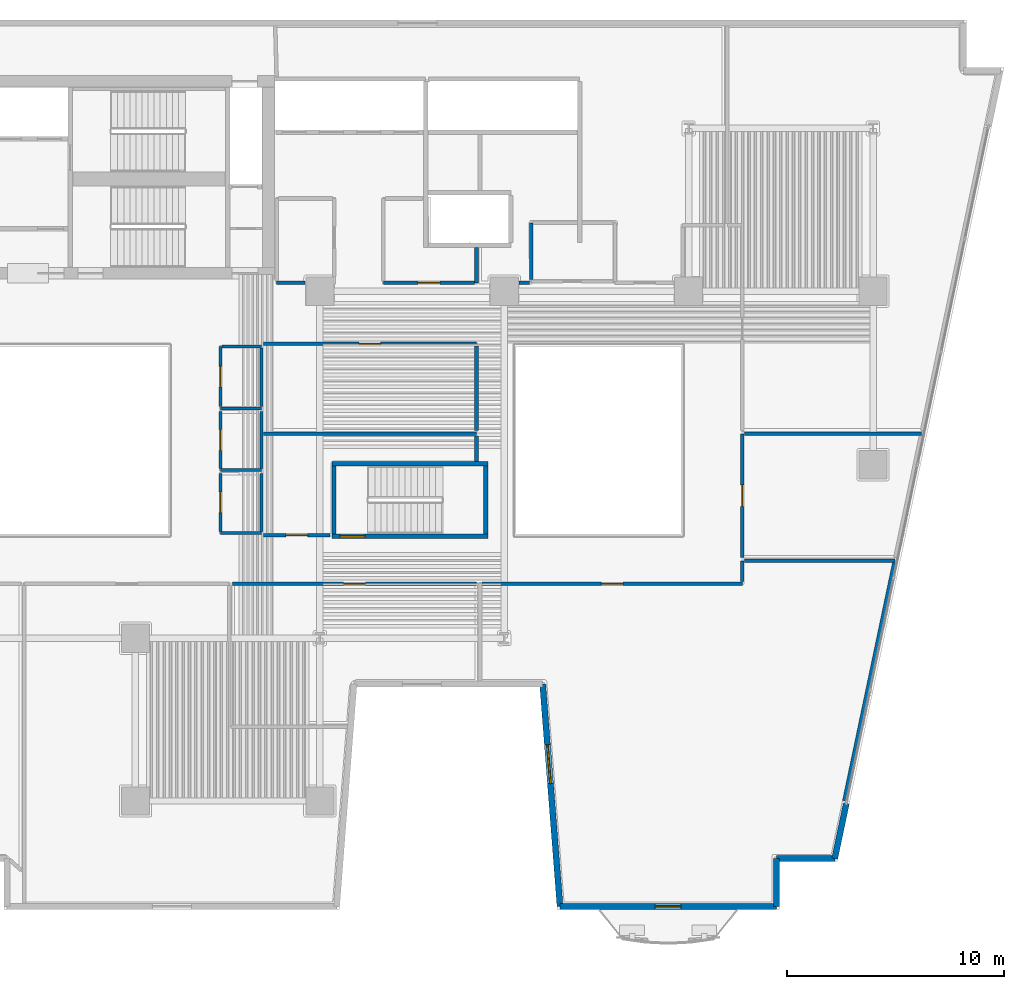
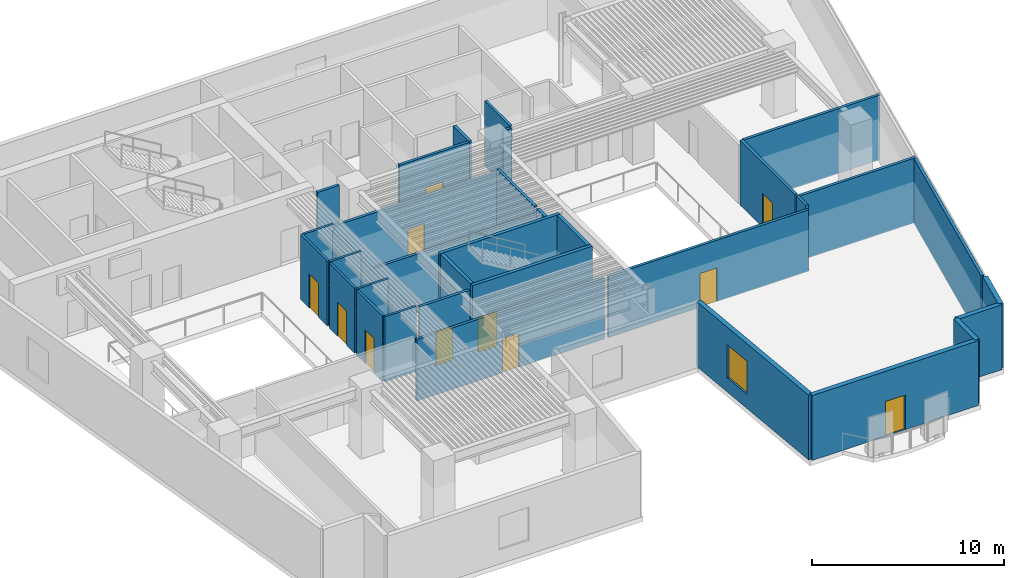
# One storey, part 4 of 11: 36 walls, 11 doors, 1 window, 12 openings.
"""IFC4 building model written with IfcOpenShell, lengths in metres."""

from ifc_helpers import new_model, si_unit, direction, frame, frame_2d, origin, place, context, subcontext, project, spatial, rectangle, extrude, material, layer, layer_set, type_object, element, fill, save


model = new_model("IFC4")

# Units and contexts
model_context = context("Model", 3, precision=1e-05, world=origin(), true_north=direction((0.0, 1.0)))
body_context = subcontext(model_context, "Body", "Model", "MODEL_VIEW")
ifc_project = project(units=[si_unit("LENGTHUNIT", "METRE"), si_unit("AREAUNIT", "SQUARE_METRE"), si_unit("VOLUMEUNIT", "CUBIC_METRE"), si_unit("PLANEANGLEUNIT", "RADIAN"), si_unit("MASSUNIT", "GRAM", prefix="KILO")], contexts=[model_context])

# Site, building, storey
site_placement = place(None, origin())
site = spatial("IfcSite", under=ifc_project, at=site_placement, CompositionType="ELEMENT")
building_placement = place(site_placement, origin())
building = spatial("IfcBuilding", under=site, at=building_placement, Name="Caeloran Harvest Quay", CompositionType="ELEMENT")
storey_placement = place(building_placement, frame((0.0, 0.0, 75.39990234375)))
storey = spatial("IfcBuildingStorey", under=building, at=storey_placement, Name="L17", CompositionType="ELEMENT", Elevation=75.39990234375)

# Walls
ifc_material_1 = material(Name="Precast concrete C50/60", Category="concrete")
ifc_layer_1 = layer(ifc_material_1, 0.280029296875, Name="Precast concrete C50/60")
ifc_layer_set_1 = layer_set([ifc_layer_1], Name="Precast concrete C50/60")
wall_type_1 = type_object("IfcWallType", Name="ENV-WALL-EW-280", PredefinedType="STANDARD", material=ifc_layer_set_1)
wall_1_placement = place(storey_placement, frame((49.77001953125, 7.384521484375, 0.0), z_axis=(0.0, 0.0, 1.0), x_axis=(-0.205551409765, -0.978646319128, 0.0)))
element("IfcWall", 1, at=wall_1_placement, inside=storey, type_object=wall_type_1, Name="L17 Exterior Facade Corner Pier Wall 9B", PredefinedType="STANDARD", context=body_context, shape_type="SweptSolid", body=[
    extrude(rectangle(XDim=2.599853515625, YDim=0.280029296875, at=frame_2d((1.2998046875, 0.0))), origin(), (0.0, 0.0, 1.0), 4.114990234375),
])
wall_2_placement = place(storey_placement, frame((49.235595703125, 4.840087890625, 0.0), z_axis=(0.0, 0.0, 1.0), x_axis=(-1.0, 0.0, 0.0)))
element("IfcWall", 2, at=wall_2_placement, inside=storey, type_object=wall_type_1, Name="L17 Exterior Precast Concrete Facade Wall 10", PredefinedType="STANDARD", context=body_context, shape_type="SweptSolid", body=[
    extrude(rectangle(XDim=2.6884765625, YDim=0.280029296875, at=frame_2d((1.34423828125, 0.0))), origin(), (0.0, 0.0, 1.0), 4.114990234375),
])
wall_3_placement = place(storey_placement, frame((46.547119140625, 4.840087890625, 0.0), z_axis=(0.0, 0.0, 1.0), x_axis=(0.0, -1.0, 0.0)))
element("IfcWall", 3, at=wall_3_placement, inside=storey, type_object=wall_type_1, Name="L17 Exterior Precast Concrete Facade Wall 11", PredefinedType="STANDARD", context=body_context, shape_type="SweptSolid", body=[
    extrude(rectangle(XDim=2.2001953125, YDim=0.280029296875, at=frame_2d((1.10009765625, 0.0))), origin(), (0.0, 0.0, 1.0), 4.114990234375),
])

# Wall, opening, door
wall_4_placement = place(storey_placement, frame((46.547119140625, 2.639892578125, 0.0), z_axis=(0.0, 0.0, 1.0), x_axis=(-1.0, 0.0, 0.0)))
wall_4 = element("IfcWall", 4, at=wall_4_placement, inside=storey, type_object=wall_type_1, Name="L17 Exterior Precast Concrete Facade Wall 12", PredefinedType="STANDARD", context=body_context, shape_type="SweptSolid", body=[
    extrude(rectangle(XDim=9.97705078125, YDim=0.280029296875, at=frame_2d((4.988525390625, 0.0))), origin(), (0.0, 0.0, 1.0), 4.114990234375),
])
opening_1_placement = place(wall_4_placement, frame((4.387939453125, 0.0, 0.0)))
opening_1 = element("IfcOpeningElement", 5, at=opening_1_placement, cuts=wall_4, Name="Opening BD-01", PredefinedType="OPENING", context=body_context, shape_type="SweptSolid", body=[
    extrude(rectangle(XDim=1.199951171875, YDim=2.199951171875, at=frame_2d((0.60009765625, 1.10009765625))), frame((0.0, 0.14990234375, 0.0), z_axis=(0.0, -1.0, 0.0), x_axis=(1.0, 0.0, 0.0)), (0.0, 0.0, 1.0), 0.300048828125),
])
ifc_material_2 = material(Name="Thermally Broken Powder-Coated Aluminium and Safety Glass", Category="aluminium")
door_type_1 = type_object("IfcDoorType", Name="EXTDOOR-BD-01", OperationType="NOTDEFINED", PredefinedType="DOOR", material=ifc_material_2)
door_1_placement = place(opening_1_placement, origin())
door_1 = element("IfcDoor", 6, at=door_1_placement, inside=storey, type_object=door_type_1, Name="L17 Planted Balcony Glazed Access Door", OperationType="SINGLE_SWING_RIGHT", OverallHeight=2.199951171875, OverallWidth=1.199951171875, PredefinedType="DOOR", context=body_context, shape_type="SweptSolid", body=[
    extrude(rectangle(XDim=1.199951171875, YDim=2.199951171875, at=frame_2d((0.60009765625, 1.10009765625))), frame((0.0, 0.02490234375, 0.0), z_axis=(0.0, -1.0, 0.0), x_axis=(1.0, 0.0, 0.0)), (0.0, 0.0, 1.0), 0.050048828125),
])
fill(opening_1, door_1)

# Wall, opening, window
wall_5_placement = place(storey_placement, frame((36.570068359375, 2.639892578125, 0.0), z_axis=(0.0, 0.0, 1.0), x_axis=(-0.077816860153, 0.996967670627, 0.0)))
wall_5 = element("IfcWall", 7, at=wall_5_placement, inside=storey, type_object=wall_type_1, Name="L17 Exterior Precast Concrete Facade Wall 13", PredefinedType="STANDARD", context=body_context, shape_type="SweptSolid", body=[
    extrude(rectangle(XDim=10.28125, YDim=0.280029296875, at=frame_2d((5.140625, 0.0))), origin(), (0.0, 0.0, 1.0), 4.114990234375),
])
opening_2_placement = place(wall_5_placement, frame((5.679931640625, 0.0, 0.89990234375)))
opening_2 = element("IfcOpeningElement", 8, at=opening_2_placement, cuts=wall_5, Name="Opening W-01", PredefinedType="OPENING", context=body_context, shape_type="SweptSolid", body=[
    extrude(rectangle(XDim=1.800048828125, YDim=2.10009765625, at=frame_2d((0.89990234375, 1.050048828125))), frame((0.0, 0.14990234375, 0.0), z_axis=(0.0, -1.0, 0.0), x_axis=(1.0, 0.0, 0.0)), (0.0, 0.0, 1.0), 0.300048828125),
])
ifc_material_3 = material(Name="Aluminium-Framed Low-E Laminated Glass", Category="aluminium")
window_type = type_object("IfcWindowType", Name="WIN-W-01", PartitioningType="SINGLE_PANEL", PredefinedType="WINDOW", material=ifc_material_3)
window_placement = place(opening_2_placement, origin())
window = element("IfcWindow", 9, at=window_placement, inside=storey, type_object=window_type, Name="L17 Facade Punched Window W-01", OverallHeight=2.10009765625, OverallWidth=1.800048828125, PartitioningType="SINGLE_PANEL", PredefinedType="WINDOW", context=body_context, shape_type="SweptSolid", body=[
    extrude(rectangle(XDim=1.800048828125, YDim=2.10009765625, at=frame_2d((0.89990234375, 1.050048828125))), frame((0.0, 0.030029296875, 0.0), z_axis=(0.0, -1.0, 0.0), x_axis=(1.0, 0.0, 0.0)), (0.0, 0.0, 1.0), 0.06005859375),
])
fill(opening_2, window)

# Wall
ifc_material_4 = material(Name="Moisture-Resistant Cement-Board Sanitary Partition", Category="gypsum")
ifc_layer_2 = layer(ifc_material_4, 0.139892578125, Name="Moisture-Resistant Cement-Board Sanitary Partition")
ifc_layer_set_2 = layer_set([ifc_layer_2], Name="Moisture-Resistant Cement-Board Sanitary Partition")
wall_type_2 = type_object("IfcWallType", Name="INT-WALL-PW-140", PredefinedType="PARTITIONING", material=ifc_layer_set_2)
wall_6_placement = place(storey_placement, frame((22.800048828125, 25.60009765625, 0.0), z_axis=(0.0, 0.0, 1.0), x_axis=(-1.0, 0.0, 0.0)))
element("IfcWall", 10, at=wall_6_placement, inside=storey, type_object=wall_type_2, Name="L17 Male Washroom WC Partition Wall", PredefinedType="PARTITIONING", context=body_context, shape_type="SweptSolid", body=[
    extrude(rectangle(XDim=1.89013671875, YDim=0.139892578125, at=frame_2d((0.945068359375, 0.0))), origin(), (0.0, 0.0, 1.0), 4.114990234375),
])

# Wall, opening, door
wall_7_placement = place(storey_placement, frame((20.909912109375, 25.675048828125, 0.0), z_axis=(0.0, 0.0, 1.0), x_axis=(0.0, 1.0, 0.0)))
wall_7 = element("IfcWall", 11, at=wall_7_placement, inside=storey, type_object=wall_type_2, Name="L17 Male Washroom WC Partition Wall", PredefinedType="PARTITIONING", context=body_context, shape_type="SweptSolid", body=[
    extrude(rectangle(XDim=2.77490234375, YDim=0.139892578125, at=frame_2d((1.387451171875, 0.0))), origin(), (0.0, 0.0, 1.0), 4.114990234375),
])
opening_3_placement = place(wall_7_placement, frame((0.91259765625, 0.0, 0.0)))
opening_3 = element("IfcOpeningElement", 12, at=opening_3_placement, cuts=wall_7, Name="Opening WC-01", PredefinedType="OPENING", context=body_context, shape_type="SweptSolid", body=[
    extrude(rectangle(XDim=0.949951171875, YDim=2.14990234375, at=frame_2d((0.47509765625, 1.074951171875))), frame((0.0, 0.080078125, 0.0), z_axis=(0.0, -1.0, 0.0), x_axis=(1.0, 0.0, 0.0)), (0.0, 0.0, 1.0), 0.159912109375),
])
ifc_material_5 = material(Name="High-Pressure Laminate Moisture-Resistant Timber", Category="wood")
door_type_2 = type_object("IfcDoorType", Name="INTDOOR-WC-01", OperationType="NOTDEFINED", PredefinedType="DOOR", material=ifc_material_5)
door_2_placement = place(opening_3_placement, origin())
door_2 = element("IfcDoor", 13, at=door_2_placement, inside=storey, type_object=door_type_2, Name="L17 Male Washroom WC Access Door", OperationType="SINGLE_SWING_RIGHT", OverallHeight=2.14990234375, OverallWidth=0.949951171875, PredefinedType="DOOR", context=body_context, shape_type="SweptSolid", body=[
    extrude(rectangle(XDim=0.949951171875, YDim=2.14990234375, at=frame_2d((0.47509765625, 1.074951171875))), frame((0.0, 0.02490234375, 0.0), z_axis=(0.0, -1.0, 0.0), x_axis=(1.0, 0.0, 0.0)), (0.0, 0.0, 1.0), 0.050048828125),
])
fill(opening_3, door_2)

# Walls
wall_8_placement = place(storey_placement, frame((20.985107421875, 28.449951171875, 0.0), z_axis=(0.0, 0.0, 1.0), x_axis=(1.0, 0.0, 0.0)))
element("IfcWall", 14, at=wall_8_placement, inside=storey, type_object=wall_type_2, Name="L17 Male Washroom WC Partition Wall", PredefinedType="PARTITIONING", context=body_context, shape_type="SweptSolid", body=[
    extrude(rectangle(XDim=1.81494140625, YDim=0.139892578125, at=frame_2d((0.907470703125, 0.0))), origin(), (0.0, 0.0, 1.0), 4.114990234375),
])
wall_9_placement = place(storey_placement, frame((22.800048828125, 28.375, 0.0), z_axis=(0.0, 0.0, 1.0), x_axis=(0.0, -1.0, 0.0)))
element("IfcWall", 15, at=wall_9_placement, inside=storey, type_object=wall_type_2, Name="L17 Male Washroom WC Partition Wall", PredefinedType="PARTITIONING", context=body_context, shape_type="SweptSolid", body=[
    extrude(rectangle(XDim=2.699951171875, YDim=0.139892578125, at=frame_2d((1.35009765625, 0.0))), origin(), (0.0, 0.0, 1.0), 3.739990234375),
])
wall_10_placement = place(storey_placement, frame((22.800048828125, 22.75, 0.0), z_axis=(0.0, 0.0, 1.0), x_axis=(-1.0, 0.0, 0.0)))
element("IfcWall", 16, at=wall_10_placement, inside=storey, type_object=wall_type_2, Name="L17 Female Washroom WC Partition Wall", PredefinedType="PARTITIONING", context=body_context, shape_type="SweptSolid", body=[
    extrude(rectangle(XDim=1.89013671875, YDim=0.139892578125, at=frame_2d((0.945068359375, 0.0))), origin(), (0.0, 0.0, 1.0), 4.114990234375),
])

# Wall, opening, door
wall_11_placement = place(storey_placement, frame((20.909912109375, 22.824951171875, 0.0), z_axis=(0.0, 0.0, 1.0), x_axis=(0.0, 1.0, 0.0)))
wall_11 = element("IfcWall", 17, at=wall_11_placement, inside=storey, type_object=wall_type_2, Name="L17 Female Washroom WC Partition Wall", PredefinedType="PARTITIONING", context=body_context, shape_type="SweptSolid", body=[
    extrude(rectangle(XDim=2.625, YDim=0.139892578125, at=frame_2d((1.3125, 0.0))), origin(), (0.0, 0.0, 1.0), 4.114990234375),
])
opening_4_placement = place(wall_11_placement, frame((0.83740234375, 0.0, 0.0)))
opening_4 = element("IfcOpeningElement", 18, at=opening_4_placement, cuts=wall_11, Name="Opening WC-01", PredefinedType="OPENING", context=body_context, shape_type="SweptSolid", body=[
    extrude(rectangle(XDim=0.949951171875, YDim=2.14990234375, at=frame_2d((0.47509765625, 1.074951171875))), frame((0.0, 0.080078125, 0.0), z_axis=(0.0, -1.0, 0.0), x_axis=(1.0, 0.0, 0.0)), (0.0, 0.0, 1.0), 0.159912109375),
])
door_3_placement = place(opening_4_placement, origin())
door_3 = element("IfcDoor", 19, at=door_3_placement, inside=storey, type_object=door_type_2, Name="L17 Female Washroom WC Access Door", OperationType="SINGLE_SWING_LEFT", OverallHeight=2.14990234375, OverallWidth=0.949951171875, PredefinedType="DOOR", context=body_context, shape_type="SweptSolid", body=[
    extrude(rectangle(XDim=0.949951171875, YDim=2.14990234375, at=frame_2d((0.47509765625, 1.074951171875))), frame((0.0, 0.02490234375, 0.0), z_axis=(0.0, -1.0, 0.0), x_axis=(1.0, 0.0, 0.0)), (0.0, 0.0, 1.0), 0.050048828125),
])
fill(opening_4, door_3)

# Walls
wall_12_placement = place(storey_placement, frame((22.800048828125, 25.449951171875, 0.0), z_axis=(0.0, 0.0, 1.0), x_axis=(0.0, -1.0, 0.0)))
element("IfcWall", 20, at=wall_12_placement, inside=storey, type_object=wall_type_2, Name="L17 Female Washroom WC Partition Wall", PredefinedType="PARTITIONING", context=body_context, shape_type="SweptSolid", body=[
    extrude(rectangle(XDim=2.625, YDim=0.139892578125, at=frame_2d((1.3125, 0.0))), origin(), (0.0, 0.0, 1.0), 3.739990234375),
])
wall_13_placement = place(storey_placement, frame((22.800048828125, 19.85009765625, 0.0), z_axis=(0.0, 0.0, 1.0), x_axis=(-1.0, 0.0, 0.0)))
element("IfcWall", 21, at=wall_13_placement, inside=storey, type_object=wall_type_2, Name="L17 Accessible Unisex Washroom WC Partition Wall", PredefinedType="PARTITIONING", context=body_context, shape_type="SweptSolid", body=[
    extrude(rectangle(XDim=1.89013671875, YDim=0.139892578125, at=frame_2d((0.945068359375, 0.0))), origin(), (0.0, 0.0, 1.0), 4.114990234375),
])

# Wall, opening, door
wall_14_placement = place(storey_placement, frame((20.909912109375, 19.925048828125, 0.0), z_axis=(0.0, 0.0, 1.0), x_axis=(0.0, 1.0, 0.0)))
wall_14 = element("IfcWall", 22, at=wall_14_placement, inside=storey, type_object=wall_type_2, Name="L17 Accessible Unisex Washroom WC Partition Wall", PredefinedType="PARTITIONING", context=body_context, shape_type="SweptSolid", body=[
    extrude(rectangle(XDim=2.675048828125, YDim=0.139892578125, at=frame_2d((1.33740234375, 0.0))), origin(), (0.0, 0.0, 1.0), 4.114990234375),
])
opening_5_placement = place(wall_14_placement, frame((0.862548828125, 0.0, 0.0)))
opening_5 = element("IfcOpeningElement", 23, at=opening_5_placement, cuts=wall_14, Name="Opening WC-01", PredefinedType="OPENING", context=body_context, shape_type="SweptSolid", body=[
    extrude(rectangle(XDim=0.949951171875, YDim=2.14990234375, at=frame_2d((0.47509765625, 1.074951171875))), frame((0.0, 0.080078125, 0.0), z_axis=(0.0, -1.0, 0.0), x_axis=(1.0, 0.0, 0.0)), (0.0, 0.0, 1.0), 0.159912109375),
])
door_4_placement = place(opening_5_placement, origin())
door_4 = element("IfcDoor", 24, at=door_4_placement, inside=storey, type_object=door_type_2, Name="L17 Accessible Unisex Washroom WC Access Door", OperationType="SINGLE_SWING_RIGHT", OverallHeight=2.14990234375, OverallWidth=0.949951171875, PredefinedType="DOOR", context=body_context, shape_type="SweptSolid", body=[
    extrude(rectangle(XDim=0.949951171875, YDim=2.14990234375, at=frame_2d((0.47509765625, 1.074951171875))), frame((0.0, 0.02490234375, 0.0), z_axis=(0.0, -1.0, 0.0), x_axis=(1.0, 0.0, 0.0)), (0.0, 0.0, 1.0), 0.050048828125),
])
fill(opening_5, door_4)

# Walls
wall_15_placement = place(storey_placement, frame((22.800048828125, 22.60009765625, 0.0), z_axis=(0.0, 0.0, 1.0), x_axis=(0.0, -1.0, 0.0)))
element("IfcWall", 25, at=wall_15_placement, inside=storey, type_object=wall_type_2, Name="L17 Accessible Unisex Washroom WC Partition Wall", PredefinedType="PARTITIONING", context=body_context, shape_type="SweptSolid", body=[
    extrude(rectangle(XDim=2.675048828125, YDim=0.139892578125, at=frame_2d((1.33740234375, 0.0))), origin(), (0.0, 0.0, 1.0), 3.739990234375),
])
ifc_material_6 = material(Name="Autoclaved Aerated Concrete Blockwork and Plasterboard", Category="masonry")
ifc_layer_3 = layer(ifc_material_6, 0.14990234375, Name="Autoclaved Aerated Concrete Blockwork and Plasterboard")
ifc_layer_set_3 = layer_set([ifc_layer_3], Name="Autoclaved Aerated Concrete Blockwork and Plasterboard")
wall_type_3 = type_object("IfcWallType", Name="INT-WALL-PW-150", PredefinedType="PARTITIONING", material=ifc_layer_set_3)
wall_16_placement = place(storey_placement, frame((35.25, 31.530029296875, 0.0), z_axis=(0.0, 0.0, 1.0), x_axis=(0.0, 1.0, 0.0)))
element("IfcWall", 26, at=wall_16_placement, inside=storey, type_object=wall_type_3, Name="L17 Core Auxiliary Equipment Room Partition Wall", PredefinedType="PARTITIONING", context=body_context, shape_type="SweptSolid", body=[
    extrude(rectangle(XDim=2.619873046875, YDim=0.14990234375, at=frame_2d((1.31005859375, 0.0))), origin(), (0.0, 0.0, 1.0), 4.114990234375),
])

# Wall, opening, door
ifc_material_7 = material(Name="Autoclaved Aerated Concrete Blockwork", Category="masonry")
ifc_layer_4 = layer(ifc_material_7, 0.1650390625, Name="Autoclaved Aerated Concrete Blockwork")
ifc_layer_set_4 = layer_set([ifc_layer_4], Name="Autoclaved Aerated Concrete Blockwork")
wall_type_4 = type_object("IfcWallType", Name="INT-WALL-PW-165", PredefinedType="PARTITIONING", material=ifc_layer_set_4)
wall_17_placement = place(storey_placement, frame((32.967529296875, 17.52001953125, 0.0), z_axis=(0.0, 0.0, 1.0), x_axis=(1.0, 0.0, 0.0)))
wall_17 = element("IfcWall", 27, at=wall_17_placement, inside=storey, type_object=wall_type_4, Name="Medicinal Plant Aeroponic Room Partition Wall", PredefinedType="PARTITIONING", context=body_context, shape_type="SweptSolid", body=[
    extrude(rectangle(XDim=12.012451171875, YDim=0.1650390625, at=frame_2d((6.00634765625, 0.0))), origin(), (0.0, 0.0, 1.0), 3.900146484375),
])
opening_6_placement = place(wall_17_placement, frame((5.506103515625, 0.0, 0.0)))
opening_6 = element("IfcOpeningElement", 28, at=opening_6_placement, cuts=wall_17, Name="Opening ID-01", PredefinedType="OPENING", context=body_context, shape_type="SweptSolid", body=[
    extrude(rectangle(XDim=1.0, YDim=2.14990234375, at=frame_2d((0.5, 1.074951171875))), frame((0.0, 0.092529296875, 0.0), z_axis=(0.0, -1.0, 0.0), x_axis=(1.0, 0.0, 0.0)), (0.0, 0.0, 1.0), 0.18505859375),
])
ifc_material_8 = material(Name="FSC Solid-Core Ash Timber and Acoustic Seal", Category="wood")
door_type_3 = type_object("IfcDoorType", Name="INTDOOR-ID-01", OperationType="NOTDEFINED", PredefinedType="DOOR", material=ifc_material_8)
door_5_placement = place(opening_6_placement, origin())
door_5 = element("IfcDoor", 29, at=door_5_placement, inside=storey, type_object=door_type_3, Name="Medicinal Plant Aeroponic Room Access Door", OperationType="SINGLE_SWING_RIGHT", OverallHeight=2.14990234375, OverallWidth=1.0, PredefinedType="DOOR", context=body_context, shape_type="SweptSolid", body=[
    extrude(rectangle(XDim=1.0, YDim=2.14990234375, at=frame_2d((0.5, 1.074951171875))), frame((0.0, 0.02490234375, 0.0), z_axis=(0.0, -1.0, 0.0), x_axis=(1.0, 0.0, 0.0)), (0.0, 0.0, 1.0), 0.050048828125),
])
fill(opening_6, door_5)

# Walls
wall_18_placement = place(storey_placement, frame((44.97998046875, 17.607421875, 0.0), z_axis=(0.0, 0.0, 1.0), x_axis=(0.0, 1.0, 0.0)))
element("IfcWall", 30, at=wall_18_placement, inside=storey, type_object=wall_type_4, Name="Medicinal Plant Aeroponic Room Partition Wall", PredefinedType="PARTITIONING", context=body_context, shape_type="SweptSolid", body=[
    extrude(rectangle(XDim=0.962646484375, YDim=0.1650390625, at=frame_2d((0.4814453125, 0.0))), origin(), (0.0, 0.0, 1.0), 4.114990234375),
])
wall_19_placement = place(storey_placement, frame((45.0673828125, 18.570068359375, 0.0), z_axis=(0.0, 0.0, 1.0), x_axis=(1.0, 0.0, 0.0)))
element("IfcWall", 31, at=wall_19_placement, inside=storey, type_object=wall_type_4, Name="Medicinal Plant Aeroponic Room Partition Wall", PredefinedType="PARTITIONING", context=body_context, shape_type="SweptSolid", body=[
    extrude(rectangle(XDim=6.945068359375, YDim=0.1650390625, at=frame_2d((3.47265625, 0.0))), origin(), (0.0, 0.0, 1.0), 4.114990234375),
])
wall_20_placement = place(storey_placement, frame((51.978515625, 18.482421875, 0.0), z_axis=(0.0, 0.0, 1.0), x_axis=(-0.2055553709, -0.978645487137, 0.0)))
element("IfcWall", 32, at=wall_20_placement, inside=storey, type_object=wall_type_4, Name="Medicinal Plant Aeroponic Room Partition Wall", PredefinedType="PARTITIONING", context=body_context, shape_type="SweptSolid", body=[
    extrude(rectangle(XDim=11.22021484375, YDim=0.1650390625, at=frame_2d((5.610107421875, 0.0))), origin(), (0.0, 0.0, 1.0), 4.114990234375),
])

# Wall, opening, door
wall_21_placement = place(storey_placement, frame((21.47998046875, 17.52001953125, 0.0), z_axis=(0.0, 0.0, 1.0), x_axis=(1.0, 0.0, 0.0)))
wall_21 = element("IfcWall", 33, at=wall_21_placement, inside=storey, type_object=wall_type_4, Name="Water Chemistry QA Laboratory Partition Wall", PredefinedType="PARTITIONING", context=body_context, shape_type="SweptSolid", body=[
    extrude(rectangle(XDim=11.239990234375, YDim=0.1650390625, at=frame_2d((5.6201171875, 0.0))), origin(), (0.0, 0.0, 1.0), 3.900146484375),
])
opening_7_placement = place(wall_21_placement, frame((5.1201171875, 0.0, 0.0)))
opening_7 = element("IfcOpeningElement", 34, at=opening_7_placement, cuts=wall_21, Name="Opening ID-01", PredefinedType="OPENING", context=body_context, shape_type="SweptSolid", body=[
    extrude(rectangle(XDim=1.0, YDim=2.14990234375, at=frame_2d((0.5, 1.074951171875))), frame((0.0, 0.092529296875, 0.0), z_axis=(0.0, -1.0, 0.0), x_axis=(1.0, 0.0, 0.0)), (0.0, 0.0, 1.0), 0.18505859375),
])
door_6_placement = place(opening_7_placement, origin())
door_6 = element("IfcDoor", 35, at=door_6_placement, inside=storey, type_object=door_type_3, Name="Water Chemistry QA Laboratory Access Door", OperationType="SINGLE_SWING_RIGHT", OverallHeight=2.14990234375, OverallWidth=1.0, PredefinedType="DOOR", context=body_context, shape_type="SweptSolid", body=[
    extrude(rectangle(XDim=1.0, YDim=2.14990234375, at=frame_2d((0.5, 1.074951171875))), frame((0.0, 0.02490234375, 0.0), z_axis=(0.0, -1.0, 0.0), x_axis=(1.0, 0.0, 0.0)), (0.0, 0.0, 1.0), 0.050048828125),
])
fill(opening_7, door_6)

wall_22_placement = place(storey_placement, frame((44.97998046875, 18.72998046875, 0.0), z_axis=(0.0, 0.0, 1.0), x_axis=(0.0, 1.0, 0.0)))
wall_22 = element("IfcWall", 36, at=wall_22_placement, inside=storey, type_object=wall_type_4, Name="Packaging Crate Laboratory Partition Wall", PredefinedType="PARTITIONING", context=body_context, shape_type="SweptSolid", body=[
    extrude(rectangle(XDim=5.68994140625, YDim=0.1650390625, at=frame_2d((2.844970703125, 0.0))), origin(), (0.0, 0.0, 1.0), 4.114990234375),
])
opening_8_placement = place(wall_22_placement, frame((2.344970703125, 0.0, 0.0)))
opening_8 = element("IfcOpeningElement", 37, at=opening_8_placement, cuts=wall_22, Name="Opening ID-01", PredefinedType="OPENING", context=body_context, shape_type="SweptSolid", body=[
    extrude(rectangle(XDim=1.0, YDim=2.14990234375, at=frame_2d((0.5, 1.074951171875))), frame((0.0, 0.092529296875, 0.0), z_axis=(0.0, -1.0, 0.0), x_axis=(1.0, 0.0, 0.0)), (0.0, 0.0, 1.0), 0.18505859375),
])
door_7_placement = place(opening_8_placement, origin())
door_7 = element("IfcDoor", 38, at=door_7_placement, inside=storey, type_object=door_type_3, Name="Packaging Crate Laboratory Access Door", OperationType="SINGLE_SWING_LEFT", OverallHeight=2.14990234375, OverallWidth=1.0, PredefinedType="DOOR", context=body_context, shape_type="SweptSolid", body=[
    extrude(rectangle(XDim=1.0, YDim=2.14990234375, at=frame_2d((0.5, 1.074951171875))), frame((0.0, 0.02490234375, 0.0), z_axis=(0.0, -1.0, 0.0), x_axis=(1.0, 0.0, 0.0)), (0.0, 0.0, 1.0), 0.050048828125),
])
fill(opening_8, door_7)

# Wall
wall_23_placement = place(storey_placement, frame((45.0673828125, 24.419921875, 0.0), z_axis=(0.0, 0.0, 1.0), x_axis=(1.0, 0.0, 0.0)))
element("IfcWall", 39, at=wall_23_placement, inside=storey, type_object=wall_type_4, Name="Packaging Crate Laboratory Partition Wall", PredefinedType="PARTITIONING", context=body_context, shape_type="SweptSolid", body=[
    extrude(rectangle(XDim=8.174072265625, YDim=0.1650390625, at=frame_2d((4.0869140625, 0.0))), origin(), (0.0, 0.0, 1.0), 4.114990234375),
])

# Wall, opening, door
wall_24_placement = place(storey_placement, frame((25.95556640625, 19.75, 0.0), z_axis=(0.0, 0.0, 1.0), x_axis=(-1.0, 0.0, 0.0)))
wall_24 = element("IfcWall", 40, at=wall_24_placement, inside=storey, type_object=wall_type_4, Name="Compliance Office Partition Wall", PredefinedType="PARTITIONING", context=body_context, shape_type="SweptSolid", body=[
    extrude(rectangle(XDim=3.045654296875, YDim=0.1650390625, at=frame_2d((1.52294921875, 0.0))), origin(), (0.0, 0.0, 1.0), 4.114990234375),
])
opening_9_placement = place(wall_24_placement, frame((1.022705078125, 0.0, 0.0)))
opening_9 = element("IfcOpeningElement", 41, at=opening_9_placement, cuts=wall_24, Name="Opening ID-01", PredefinedType="OPENING", context=body_context, shape_type="SweptSolid", body=[
    extrude(rectangle(XDim=1.0, YDim=2.14990234375, at=frame_2d((0.5, 1.074951171875))), frame((0.0, 0.092529296875, 0.0), z_axis=(0.0, -1.0, 0.0), x_axis=(1.0, 0.0, 0.0)), (0.0, 0.0, 1.0), 0.18505859375),
])
door_8_placement = place(opening_9_placement, origin())
door_8 = element("IfcDoor", 42, at=door_8_placement, inside=storey, type_object=door_type_3, Name="Compliance Office Access Door", OperationType="SINGLE_SWING_RIGHT", OverallHeight=2.14990234375, OverallWidth=1.0, PredefinedType="DOOR", context=body_context, shape_type="SweptSolid", body=[
    extrude(rectangle(XDim=1.0, YDim=2.14990234375, at=frame_2d((0.5, 1.074951171875))), frame((0.0, 0.02490234375, 0.0), z_axis=(0.0, -1.0, 0.0), x_axis=(1.0, 0.0, 0.0)), (0.0, 0.0, 1.0), 0.050048828125),
])
fill(opening_9, door_8)

# Walls
wall_25_placement = place(storey_placement, frame((22.909912109375, 24.419921875, 0.0), z_axis=(0.0, 0.0, 1.0), x_axis=(1.0, 0.0, 0.0)))
element("IfcWall", 43, at=wall_25_placement, inside=storey, type_object=wall_type_4, Name="Compliance Office Partition Wall", PredefinedType="PARTITIONING", context=body_context, shape_type="SweptSolid", body=[
    extrude(rectangle(XDim=9.81005859375, YDim=0.1650390625, at=frame_2d((4.905029296875, 0.0))), origin(), (0.0, 0.0, 1.0), 3.739990234375),
])
wall_26_placement = place(storey_placement, frame((32.719970703125, 24.33251953125, 0.0), z_axis=(0.0, 0.0, 1.0), x_axis=(0.0, -1.0, 0.0)))
element("IfcWall", 44, at=wall_26_placement, inside=storey, type_object=wall_type_4, Name="Compliance Office Partition Wall", PredefinedType="PARTITIONING", context=body_context, shape_type="SweptSolid", body=[
    extrude(rectangle(XDim=1.177490234375, YDim=0.1650390625, at=frame_2d((0.5888671875, 0.0))), origin(), (0.0, 0.0, 1.0), 4.114990234375),
])

# Wall, opening, door
wall_27_placement = place(storey_placement, frame((22.889892578125, 28.570068359375, 0.0), z_axis=(0.0, 0.0, 1.0), x_axis=(1.0, 0.0, 0.0)))
wall_27 = element("IfcWall", 45, at=wall_27_placement, inside=storey, type_object=wall_type_4, Name="Harvest Briefing Conference Room Partition Wall", PredefinedType="PARTITIONING", context=body_context, shape_type="SweptSolid", body=[
    extrude(rectangle(XDim=9.830078125, YDim=0.1650390625, at=frame_2d((4.9150390625, 0.0))), origin(), (0.0, 0.0, 1.0), 3.900146484375),
])
opening_10_placement = place(wall_27_placement, frame((4.4150390625, 0.0, 0.0)))
opening_10 = element("IfcOpeningElement", 46, at=opening_10_placement, cuts=wall_27, Name="Opening ID-01", PredefinedType="OPENING", context=body_context, shape_type="SweptSolid", body=[
    extrude(rectangle(XDim=1.0, YDim=2.14990234375, at=frame_2d((0.5, 1.074951171875))), frame((0.0, 0.092529296875, 0.0), z_axis=(0.0, -1.0, 0.0), x_axis=(1.0, 0.0, 0.0)), (0.0, 0.0, 1.0), 0.18505859375),
])
door_9_placement = place(opening_10_placement, origin())
door_9 = element("IfcDoor", 47, at=door_9_placement, inside=storey, type_object=door_type_3, Name="Harvest Briefing Conference Room Access Door", OperationType="SINGLE_SWING_LEFT", OverallHeight=2.14990234375, OverallWidth=1.0, PredefinedType="DOOR", context=body_context, shape_type="SweptSolid", body=[
    extrude(rectangle(XDim=1.0, YDim=2.14990234375, at=frame_2d((0.5, 1.074951171875))), frame((0.0, 0.02490234375, 0.0), z_axis=(0.0, -1.0, 0.0), x_axis=(1.0, 0.0, 0.0)), (0.0, 0.0, 1.0), 0.050048828125),
])
fill(opening_10, door_9)

# Walls
wall_28_placement = place(storey_placement, frame((32.719970703125, 28.482421875, 0.0), z_axis=(0.0, 0.0, 1.0), x_axis=(0.0, -1.0, 0.0)))
element("IfcWall", 48, at=wall_28_placement, inside=storey, type_object=wall_type_4, Name="Harvest Briefing Conference Room Partition Wall", PredefinedType="PARTITIONING", context=body_context, shape_type="SweptSolid", body=[
    extrude(rectangle(XDim=3.90234375, YDim=0.1650390625, at=frame_2d((1.951171875, 0.0))), origin(), (0.0, 0.0, 1.0), 4.114990234375),
])
wall_29_placement = place(storey_placement, frame((32.719970703125, 33.014892578125, 0.0), z_axis=(0.0, 0.0, 1.0), x_axis=(0.0, -1.0, 0.0)))
element("IfcWall", 49, at=wall_29_placement, inside=storey, type_object=wall_type_4, Name="Staff Wellness Lounge Partition Wall", PredefinedType="PARTITIONING", context=body_context, shape_type="SweptSolid", body=[
    extrude(rectangle(XDim=1.635009765625, YDim=0.1650390625, at=frame_2d((0.8173828125, 0.0))), origin(), (0.0, 0.0, 1.0), 4.114990234375),
])

# Wall, opening, door
wall_30_placement = place(storey_placement, frame((32.632568359375, 31.3798828125, 0.0), z_axis=(0.0, 0.0, 1.0), x_axis=(-1.0, 0.0, 0.0)))
wall_30 = element("IfcWall", 50, at=wall_30_placement, inside=storey, type_object=wall_type_4, Name="Staff Wellness Lounge Partition Wall", PredefinedType="PARTITIONING", context=body_context, shape_type="SweptSolid", body=[
    extrude(rectangle(XDim=4.20263671875, YDim=0.1650390625, at=frame_2d((2.101318359375, 0.0))), origin(), (0.0, 0.0, 1.0), 4.114990234375),
])
opening_11_placement = place(wall_30_placement, frame((1.601318359375, 0.0, 0.0)))
opening_11 = element("IfcOpeningElement", 51, at=opening_11_placement, cuts=wall_30, Name="Opening ID-01", PredefinedType="OPENING", context=body_context, shape_type="SweptSolid", body=[
    extrude(rectangle(XDim=1.0, YDim=2.14990234375, at=frame_2d((0.5, 1.074951171875))), frame((0.0, 0.092529296875, 0.0), z_axis=(0.0, -1.0, 0.0), x_axis=(1.0, 0.0, 0.0)), (0.0, 0.0, 1.0), 0.18505859375),
])
door_10_placement = place(opening_11_placement, origin())
door_10 = element("IfcDoor", 52, at=door_10_placement, inside=storey, type_object=door_type_3, Name="Staff Wellness Lounge Access Door", OperationType="SINGLE_SWING_RIGHT", OverallHeight=2.14990234375, OverallWidth=1.0, PredefinedType="DOOR", context=body_context, shape_type="SweptSolid", body=[
    extrude(rectangle(XDim=1.0, YDim=2.14990234375, at=frame_2d((0.5, 1.074951171875))), frame((0.0, 0.02490234375, 0.0), z_axis=(0.0, -1.0, 0.0), x_axis=(1.0, 0.0, 0.0)), (0.0, 0.0, 1.0), 0.050048828125),
])
fill(opening_11, door_10)

# Walls
wall_31_placement = place(storey_placement, frame((24.824951171875, 31.3798828125, 0.0), z_axis=(0.0, 0.0, 1.0), x_axis=(-1.0, 0.0, 0.0)))
element("IfcWall", 53, at=wall_31_placement, inside=storey, type_object=wall_type_4, Name="Dwarf Citrus Mezzanine Growing Hall 9 Partition Wall", PredefinedType="PARTITIONING", context=body_context, shape_type="SweptSolid", body=[
    extrude(rectangle(XDim=1.31494140625, YDim=0.1650390625, at=frame_2d((0.657470703125, 0.0))), origin(), (0.0, 0.0, 1.0), 4.114990234375),
])
wall_32_placement = place(storey_placement, frame((35.155517578125, 31.3798828125, 0.0), z_axis=(0.0, 0.0, 1.0), x_axis=(-1.0, 0.0, 0.0)))
element("IfcWall", 54, at=wall_32_placement, inside=storey, type_object=wall_type_4, Name="Photobiology Spectrum Laboratory 11 Partition Wall", PredefinedType="PARTITIONING", context=body_context, shape_type="SweptSolid", body=[
    extrude(rectangle(XDim=0.48046875, YDim=0.1650390625, at=frame_2d((0.240234375, 0.0))), origin(), (0.0, 0.0, 1.0), 4.114990234375),
])

# Wall, opening, door
ifc_material_9 = material(Name="Concrete C60/75", Category="concrete")
ifc_layer_5 = layer(ifc_material_9, 0.199951171875, Name="Concrete C60/75")
ifc_layer_set_5 = layer_set([ifc_layer_5], Name="Concrete C60/75")
wall_type_5 = type_object("IfcWallType", Name="STR-WALL-SW-200", PredefinedType="SHEAR", material=ifc_layer_set_5)
wall_33_placement = place(storey_placement, frame((26.050048828125, 19.699951171875, 0.0), z_axis=(0.0, 0.0, 1.0), x_axis=(1.0, 0.0, 0.0)))
wall_33 = element("IfcWall", 55, at=wall_33_placement, inside=storey, type_object=wall_type_5, Name="L17 Stair ST-W1 S RC Shaft Shear Wall", PredefinedType="SHEAR", context=body_context, shape_type="SweptSolid", body=[
    extrude(rectangle(XDim=7.199951171875, YDim=0.199951171875, at=frame_2d((3.60009765625, 0.0))), origin(), (0.0, 0.0, 1.0), 4.400146484375),
])
opening_12_placement = place(wall_33_placement, frame((0.3798828125, 0.0, 0.0)))
opening_12 = element("IfcOpeningElement", 56, at=opening_12_placement, cuts=wall_33, Name="Opening SD-01", PredefinedType="OPENING", context=body_context, shape_type="SweptSolid", body=[
    extrude(rectangle(XDim=1.14990234375, YDim=2.199951171875, at=frame_2d((0.574951171875, 1.10009765625))), frame((0.0, 0.10986328125, 0.0), z_axis=(0.0, -1.0, 0.0), x_axis=(1.0, 0.0, 0.0)), (0.0, 0.0, 1.0), 0.219970703125),
])
ifc_material_10 = material(Name="Steel", Category="steel")
door_type_4 = type_object("IfcDoorType", Name="INTDOOR-SD-01", OperationType="NOTDEFINED", PredefinedType="DOOR", material=ifc_material_10)
door_11_placement = place(opening_12_placement, origin())
door_11 = element("IfcDoor", 57, at=door_11_placement, inside=storey, type_object=door_type_4, Name="L17 Protected Exit Stair ST-W1 Fire Door", OperationType="SINGLE_SWING_RIGHT", OverallHeight=2.199951171875, OverallWidth=1.14990234375, PredefinedType="DOOR", context=body_context, shape_type="SweptSolid", body=[
    extrude(rectangle(XDim=1.14990234375, YDim=2.199951171875, at=frame_2d((0.574951171875, 1.10009765625))), frame((0.0, 0.02490234375, 0.0), z_axis=(0.0, -1.0, 0.0), x_axis=(1.0, 0.0, 0.0)), (0.0, 0.0, 1.0), 0.050048828125),
])
fill(opening_12, door_11)

# Walls
wall_34_placement = place(storey_placement, frame((26.050048828125, 23.050048828125, 0.0), z_axis=(0.0, 0.0, 1.0), x_axis=(1.0, 0.0, 0.0)))
element("IfcWall", 58, at=wall_34_placement, inside=storey, type_object=wall_type_5, Name="L17 Stair ST-W1 N RC Shaft Shear Wall", PredefinedType="SHEAR", context=body_context, shape_type="SweptSolid", body=[
    extrude(rectangle(XDim=7.199951171875, YDim=0.199951171875, at=frame_2d((3.60009765625, 0.0))), origin(), (0.0, 0.0, 1.0), 4.400146484375),
])
for number, where, z_axis, x_axis, name in (
    (59, (26.14990234375, 19.81005859375, 0.0), (0.0, 0.0, 1.0), (0.0, 1.0, 0.0), "L17 Stair ST-W1 W RC Shaft Shear Wall"),
    (60, (33.14990234375, 19.81005859375, 0.0), (0.0, 0.0, 1.0), (0.0, 1.0, 0.0), "L17 Stair ST-W1 E RC Shaft Shear Wall"),
):
    element("IfcWall", number, at=place(storey_placement, frame(where, z_axis=z_axis, x_axis=x_axis)), inside=storey, type_object=wall_type_5, Name=name, PredefinedType="SHEAR", context=body_context, shape_type="SweptSolid", body=[
        extrude(rectangle(XDim=3.1298828125, YDim=0.199951171875, at=frame_2d((1.56494140625, 0.0))), origin(), (0.0, 0.0, 1.0), 4.400146484375),
    ])

save(model, "model.ifc")
